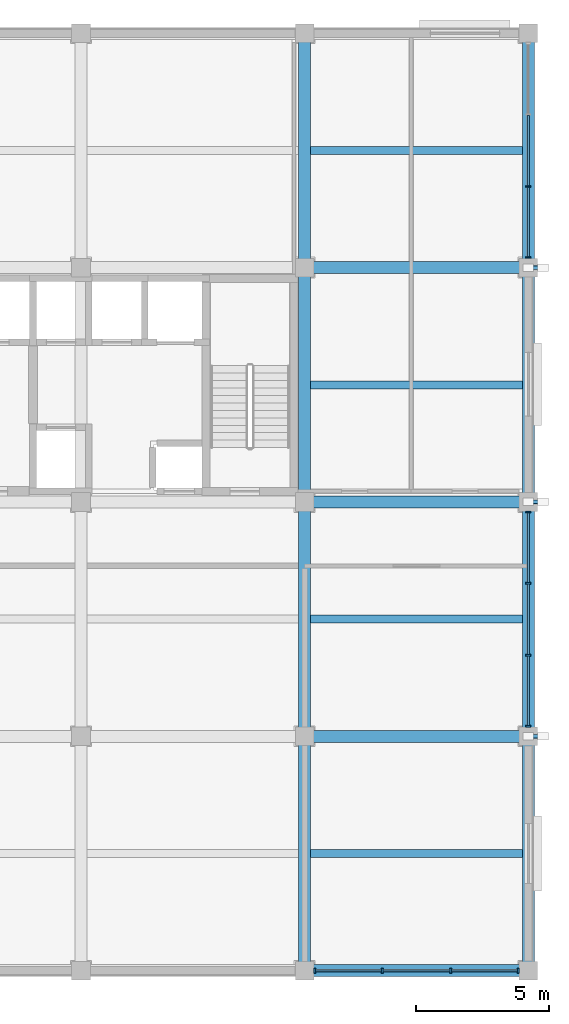
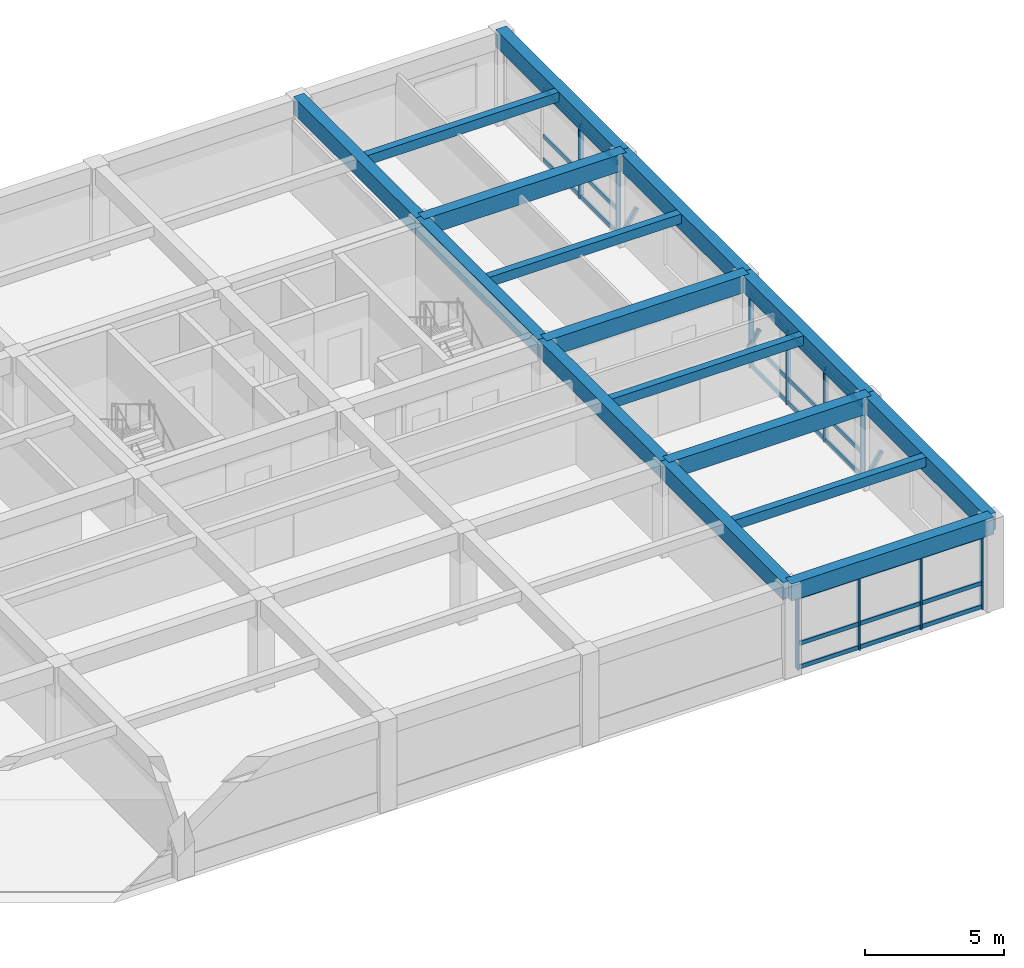
# One storey, part 4 of 14: 37 members, 16 beams, 3 elements without a shape of their own.
"""IFC4 building model written with IfcOpenShell, lengths in metres."""

from ifc_helpers import new_model, si_unit, direction, frame, origin, origin_2d, place, context, subcontext, project, spatial, rectangle, hollow_rectangle, extrude, material, material_profile, profile_set, type_object, element, aggregate, save


model = new_model("IFC4")

# Units and contexts
model_context = context("Model", 3, precision=1e-05, world=origin(), true_north=direction((0.0, 1.0)))
body_context = subcontext(model_context, "Body", "Model", "MODEL_VIEW")
ifc_project = project(units=[si_unit("LENGTHUNIT", "METRE"), si_unit("AREAUNIT", "SQUARE_METRE"), si_unit("VOLUMEUNIT", "CUBIC_METRE"), si_unit("PLANEANGLEUNIT", "RADIAN"), si_unit("MASSUNIT", "GRAM", prefix="KILO")], contexts=[model_context])

# Site, building, storey
site_placement = place(None, origin())
site = spatial("IfcSite", under=ifc_project, at=site_placement, CompositionType="ELEMENT")
building_placement = place(site_placement, origin())
building = spatial("IfcBuilding", under=site, at=building_placement, Name="Kemercrest Conservatory and Botanical Centre", CompositionType="ELEMENT")
storey_placement = place(building_placement, frame((0.0, 0.0, 32.800048828125)))
storey = spatial("IfcBuildingStorey", under=building, at=storey_placement, Name="L08", CompositionType="ELEMENT", Elevation=32.800048828125)

# Beams
ifc_material_1 = material(Name="Concrete C40/50", Category="concrete")
ifc_material_profile_1 = material_profile(ifc_material_1, rectangle(XDim=0.449951171875, YDim=0.75, at=origin_2d()), Name="RC 450x750")
ifc_profile_set_1 = profile_set([ifc_material_profile_1], Name="Concrete C40/50")
beam_type_1 = type_object("IfcBeamType", Name="BM-RC75", PredefinedType="BEAM", material=ifc_profile_set_1)
for number, where, z_axis, x_axis, name in (
    (1, (167.60009765625, 96.0, 3.625), (1.0, 0.0, 0.0), (0.0, 1.0, 0.0), "V4-L09 beam BM-RC75 L/20-21"),
    (2, (167.60009765625, 104.800048828125, 3.625), (1.0, 0.0, 0.0), (0.0, 1.0, 0.0), "V4-L09 beam BM-RC75 M/20-21"),
    (3, (167.60009765625, 113.60009765625, 3.625), (1.0, 0.0, 0.0), (0.0, 1.0, 0.0), "V4-L09 beam BM-RC75 N/20-21"),
):
    element("IfcBeam", number, at=place(storey_placement, frame(where, z_axis=z_axis, x_axis=x_axis)), inside=storey, type_object=beam_type_1, Name=name, PredefinedType="BEAM", context=body_context, shape_type="SweptSolid", body=[
        extrude(rectangle(XDim=0.449951171875, YDim=0.75, at=origin_2d()), origin(), (0.0, 0.0, 1.0), 8.39990234375),
    ])
for number, where, z_axis, x_axis, name in (
    (4, (167.60009765625, 87.199951171875, 3.625), (0.0, 1.0, 0.0), (-1.0, 0.0, 0.0), "V4-L09 beam BM-RC75 20/K-L"),
    (5, (167.60009765625, 96.0, 3.625), (0.0, 1.0, 0.0), (-1.0, 0.0, 0.0), "V4-L09 beam BM-RC75 20/L-M"),
    (6, (167.60009765625, 104.800048828125, 3.625), (0.0, 1.0, 0.0), (-1.0, 0.0, 0.0), "V4-L09 beam BM-RC75 20/M-N"),
):
    element("IfcBeam", number, at=place(storey_placement, frame(where, z_axis=z_axis, x_axis=x_axis)), inside=storey, type_object=beam_type_1, Name=name, PredefinedType="BEAM", context=body_context, shape_type="SweptSolid", body=[
        extrude(rectangle(XDim=0.449951171875, YDim=0.75, at=origin_2d()), origin(), (0.0, 0.0, 1.0), 8.800048828125),
    ])
beam_1_placement = place(storey_placement, frame((167.60009765625, 113.60009765625, 3.625), z_axis=(0.0, 1.0, 0.0), x_axis=(-1.0, 0.0, 0.0)))
element("IfcBeam", 7, at=beam_1_placement, inside=storey, type_object=beam_type_1, Name="V4-L09 beam BM-RC75 20/N-P", PredefinedType="BEAM", context=body_context, shape_type="SweptSolid", body=[
    extrude(rectangle(XDim=0.449951171875, YDim=0.75, at=origin_2d()), origin(), (0.0, 0.0, 1.0), 8.7998046875),
])

# Members
ifc_material_2 = material(Name="Steel CSA G40.21 350W", Category="steel")
ifc_material_profile_2 = material_profile(ifc_material_2, hollow_rectangle(XDim=0.15234375, YDim=0.15234375, WallThickness=0.009521484375, InnerFilletRadius=0.009521484375, OuterFilletRadius=0.01904296875, at=origin_2d()), Name="HSS 152x152x9.5")
ifc_profile_set_2 = profile_set([ifc_material_profile_2], Name="Steel CSA G40.21 350W")
member_type_1 = type_object("IfcMemberType", Name="BR-CUM152", PredefinedType="BRACE", material=ifc_profile_set_2)
for number, where, z_axis, x_axis, name in (
    (8, (176.0, 96.0, 0.39990234375), (0.543241280498, 0.0, 0.839576626141), (0.0, 1.0, 0.0), "Tower cumba projecting bay knee brace strut L08-1"),
    (9, (176.0, 104.800048828125, 0.39990234375), (0.543241280498, 0.0, 0.839576626141), (0.0, 1.0, 0.0), "Tower cumba projecting bay knee brace strut L08-2"),
    (10, (176.0, 113.60009765625, 0.39990234375), (0.543241280498, 0.0, 0.839576626141), (0.0, 1.0, 0.0), "Tower cumba projecting bay knee brace strut L08-3"),
):
    element("IfcMember", number, at=place(storey_placement, frame(where, z_axis=z_axis, x_axis=x_axis)), inside=storey, type_object=member_type_1, Name=name, PredefinedType="BRACE", context=body_context, shape_type="SweptSolid", body=[
        extrude(hollow_rectangle(XDim=0.15234375, YDim=0.15234375, WallThickness=0.009521484375, InnerFilletRadius=0.009521484375, OuterFilletRadius=0.01904296875, at=origin_2d()), origin(), (0.0, 0.0, 1.0), 1.012451171875),
    ])

# Curtain wall, members
ifc_material_3 = material(Name="Thermally broken aluminium and triple low-e glazing", Category="aluminium")
curtain_wall_type_1 = type_object("IfcCurtainWallType", Name="CW-06", PredefinedType="USERDEFINED", material=ifc_material_3)
curtain_wall_1_placement = place(storey_placement, origin())
curtain_wall_1 = element("IfcCurtainWall", 11, at=curtain_wall_1_placement, inside=storey, type_object=curtain_wall_type_1, Name="Unitised curtain wall CW-06 (CW:L08:V4-095)", ObjectType="UNITISED CURTAIN WALL", PredefinedType="USERDEFINED")
ifc_material_4 = material(Name="Thermally broken anodized aluminium 6063-T6", Category="aluminium")
ifc_material_profile_3 = material_profile(ifc_material_4, rectangle(XDim=0.199951171875, YDim=0.06494140625, at=origin_2d()), Name="AL MULLION 65x200")
ifc_profile_set_3 = profile_set([ifc_material_profile_3], Name="Thermally broken anodized aluminium 6063-T6")
member_type_2 = type_object("IfcMemberType", Name="CW-M200", PredefinedType="MULLION", material=ifc_profile_set_3)
member_1_placement = place(storey_placement, frame((167.9775390625, 87.199951171875, 0.0), z_axis=(0.0, 0.0, 1.0), x_axis=(0.0, 1.0, 0.0)))
member_1 = element("IfcMember", 12, at=member_1_placement, type_object=member_type_2, Name="CW-06 mullion 1", PredefinedType="MULLION", context=body_context, shape_type="SweptSolid", body=[
    extrude(rectangle(XDim=0.199951171875, YDim=0.06494140625, at=origin_2d()), origin(), (0.0, 0.0, 1.0), 3.2548828125),
])
member_2_placement = place(storey_placement, frame((170.514892578125, 87.199951171875, 0.0), z_axis=(0.0, 0.0, 1.0), x_axis=(0.0, 1.0, 0.0)))
member_2 = element("IfcMember", 13, at=member_2_placement, type_object=member_type_2, Name="CW-06 mullion 2", PredefinedType="MULLION", context=body_context, shape_type="SweptSolid", body=[
    extrude(rectangle(XDim=0.199951171875, YDim=0.06494140625, at=origin_2d()), origin(), (0.0, 0.0, 1.0), 3.2548828125),
])
member_3_placement = place(storey_placement, frame((173.0849609375, 87.199951171875, 0.0), z_axis=(0.0, 0.0, 1.0), x_axis=(0.0, 1.0, 0.0)))
member_3 = element("IfcMember", 14, at=member_3_placement, type_object=member_type_2, Name="CW-06 mullion 3", PredefinedType="MULLION", context=body_context, shape_type="SweptSolid", body=[
    extrude(rectangle(XDim=0.199951171875, YDim=0.06494140625, at=origin_2d()), origin(), (0.0, 0.0, 1.0), 3.2548828125),
])
member_4_placement = place(storey_placement, frame((175.62255859375, 87.199951171875, 0.0), z_axis=(0.0, 0.0, 1.0), x_axis=(0.0, 1.0, 0.0)))
member_4 = element("IfcMember", 15, at=member_4_placement, type_object=member_type_2, Name="CW-06 mullion 4", PredefinedType="MULLION", context=body_context, shape_type="SweptSolid", body=[
    extrude(rectangle(XDim=0.199951171875, YDim=0.06494140625, at=origin_2d()), origin(), (0.0, 0.0, 1.0), 3.2548828125),
])

curtain_wall_type_2 = type_object("IfcCurtainWallType", Name="CW-07", PredefinedType="USERDEFINED", material=ifc_material_3)
curtain_wall_2_placement = place(storey_placement, origin())
curtain_wall_2 = element("IfcCurtainWall", 16, at=curtain_wall_2_placement, inside=storey, type_object=curtain_wall_type_2, Name="Unitised curtain wall CW-07 (CW:L08:V4-096)", ObjectType="UNITISED CURTAIN WALL", PredefinedType="USERDEFINED")
member_5_placement = place(storey_placement, frame((176.0, 96.37744140625, 0.0), z_axis=(0.0, 0.0, 1.0), x_axis=(-1.0, 0.0, 0.0)))
member_5 = element("IfcMember", 17, at=member_5_placement, type_object=member_type_2, Name="CW-07 mullion 1", PredefinedType="MULLION", context=body_context, shape_type="SweptSolid", body=[
    extrude(rectangle(XDim=0.199951171875, YDim=0.06494140625, at=origin_2d()), origin(), (0.0, 0.0, 1.0), 3.2548828125),
])
member_6_placement = place(storey_placement, frame((176.0, 99.04833984375, 0.0), z_axis=(0.0, 0.0, 1.0), x_axis=(-1.0, 0.0, 0.0)))
member_6 = element("IfcMember", 18, at=member_6_placement, type_object=member_type_2, Name="CW-07 mullion 2", PredefinedType="MULLION", context=body_context, shape_type="SweptSolid", body=[
    extrude(rectangle(XDim=0.199951171875, YDim=0.06494140625, at=origin_2d()), origin(), (0.0, 0.0, 1.0), 3.2548828125),
])
member_7_placement = place(storey_placement, frame((176.0, 101.751708984375, 0.0), z_axis=(0.0, 0.0, 1.0), x_axis=(-1.0, 0.0, 0.0)))
member_7 = element("IfcMember", 19, at=member_7_placement, type_object=member_type_2, Name="CW-07 mullion 3", PredefinedType="MULLION", context=body_context, shape_type="SweptSolid", body=[
    extrude(rectangle(XDim=0.199951171875, YDim=0.06494140625, at=origin_2d()), origin(), (0.0, 0.0, 1.0), 3.2548828125),
])
member_8_placement = place(storey_placement, frame((176.0, 104.422607421875, 0.0), z_axis=(0.0, 0.0, 1.0), x_axis=(-1.0, 0.0, 0.0)))
member_8 = element("IfcMember", 20, at=member_8_placement, type_object=member_type_2, Name="CW-07 mullion 4", PredefinedType="MULLION", context=body_context, shape_type="SweptSolid", body=[
    extrude(rectangle(XDim=0.199951171875, YDim=0.06494140625, at=origin_2d()), origin(), (0.0, 0.0, 1.0), 3.2548828125),
])

curtain_wall_type_3 = type_object("IfcCurtainWallType", Name="CW-08", PredefinedType="USERDEFINED", material=ifc_material_3)
curtain_wall_3_placement = place(storey_placement, origin())
curtain_wall_3 = element("IfcCurtainWall", 21, at=curtain_wall_3_placement, inside=storey, type_object=curtain_wall_type_3, Name="Unitised curtain wall CW-08 (CW:L08:V4-097)", ObjectType="UNITISED CURTAIN WALL", PredefinedType="USERDEFINED")
member_9_placement = place(storey_placement, frame((176.0, 113.9775390625, 0.0), z_axis=(0.0, 0.0, 1.0), x_axis=(-1.0, 0.0, 0.0)))
member_9 = element("IfcMember", 22, at=member_9_placement, type_object=member_type_2, Name="CW-08 mullion 1", PredefinedType="MULLION", context=body_context, shape_type="SweptSolid", body=[
    extrude(rectangle(XDim=0.199951171875, YDim=0.06494140625, at=origin_2d()), origin(), (0.0, 0.0, 1.0), 3.2548828125),
])
member_10_placement = place(storey_placement, frame((176.0, 116.6484375, 0.0), z_axis=(0.0, 0.0, 1.0), x_axis=(-1.0, 0.0, 0.0)))
member_10 = element("IfcMember", 23, at=member_10_placement, type_object=member_type_2, Name="CW-08 mullion 2", PredefinedType="MULLION", context=body_context, shape_type="SweptSolid", body=[
    extrude(rectangle(XDim=0.199951171875, YDim=0.06494140625, at=origin_2d()), origin(), (0.0, 0.0, 1.0), 3.2548828125),
])

# Member
ifc_material_profile_4 = material_profile(ifc_material_4, rectangle(XDim=0.074951171875, YDim=0.179931640625, at=origin_2d()), Name="AL TRANSOM 75x180")
ifc_profile_set_4 = profile_set([ifc_material_profile_4], Name="Thermally broken anodized aluminium 6063-T6")
member_type_3 = type_object("IfcMemberType", Name="CW-T180", PredefinedType="USERDEFINED", material=ifc_profile_set_4)
member_11_placement = place(storey_placement, frame((168.010009765625, 87.199951171875, 0.08984375), z_axis=(1.0, 0.0, 0.0), x_axis=(0.0, 1.0, 0.0)))
member_11 = element("IfcMember", 24, at=member_11_placement, type_object=member_type_3, Name="CW-06 transom 1.1", ObjectType="TRANSOM", PredefinedType="USERDEFINED", context=body_context, shape_type="SweptSolid", body=[
    extrude(rectangle(XDim=0.074951171875, YDim=0.179931640625, at=origin_2d()), origin(), (0.0, 0.0, 1.0), 2.472412109375),
])

member_12_placement = place(storey_placement, frame((168.010009765625, 87.199951171875, 1.119873046875), z_axis=(1.0, 0.0, 0.0), x_axis=(0.0, 1.0, 0.0)))
member_12 = element("IfcMember", 25, at=member_12_placement, type_object=member_type_3, Name="CW-06 transom 1.2", ObjectType="TRANSOM", PredefinedType="USERDEFINED", context=body_context, shape_type="SweptSolid", body=[
    extrude(rectangle(XDim=0.074951171875, YDim=0.179931640625, at=origin_2d()), origin(), (0.0, 0.0, 1.0), 2.472412109375),
])

member_13_placement = place(storey_placement, frame((168.010009765625, 87.199951171875, 3.1650390625), z_axis=(1.0, 0.0, 0.0), x_axis=(0.0, 1.0, 0.0)))
member_13 = element("IfcMember", 26, at=member_13_placement, type_object=member_type_3, Name="CW-06 transom 1.3", ObjectType="TRANSOM", PredefinedType="USERDEFINED", context=body_context, shape_type="SweptSolid", body=[
    extrude(rectangle(XDim=0.074951171875, YDim=0.179931640625, at=origin_2d()), origin(), (0.0, 0.0, 1.0), 2.472412109375),
])

member_14_placement = place(storey_placement, frame((170.547607421875, 87.199951171875, 0.08984375), z_axis=(1.0, 0.0, 0.0), x_axis=(0.0, 1.0, 0.0)))
member_14 = element("IfcMember", 27, at=member_14_placement, type_object=member_type_3, Name="CW-06 transom 2.1", ObjectType="TRANSOM", PredefinedType="USERDEFINED", context=body_context, shape_type="SweptSolid", body=[
    extrude(rectangle(XDim=0.074951171875, YDim=0.179931640625, at=origin_2d()), origin(), (0.0, 0.0, 1.0), 2.5048828125),
])

member_15_placement = place(storey_placement, frame((170.547607421875, 87.199951171875, 1.119873046875), z_axis=(1.0, 0.0, 0.0), x_axis=(0.0, 1.0, 0.0)))
member_15 = element("IfcMember", 28, at=member_15_placement, type_object=member_type_3, Name="CW-06 transom 2.2", ObjectType="TRANSOM", PredefinedType="USERDEFINED", context=body_context, shape_type="SweptSolid", body=[
    extrude(rectangle(XDim=0.074951171875, YDim=0.179931640625, at=origin_2d()), origin(), (0.0, 0.0, 1.0), 2.5048828125),
])

member_16_placement = place(storey_placement, frame((170.547607421875, 87.199951171875, 3.1650390625), z_axis=(1.0, 0.0, 0.0), x_axis=(0.0, 1.0, 0.0)))
member_16 = element("IfcMember", 29, at=member_16_placement, type_object=member_type_3, Name="CW-06 transom 2.3", ObjectType="TRANSOM", PredefinedType="USERDEFINED", context=body_context, shape_type="SweptSolid", body=[
    extrude(rectangle(XDim=0.074951171875, YDim=0.179931640625, at=origin_2d()), origin(), (0.0, 0.0, 1.0), 2.5048828125),
])

member_17_placement = place(storey_placement, frame((173.117431640625, 87.199951171875, 0.08984375), z_axis=(1.0, 0.0, 0.0), x_axis=(0.0, 1.0, 0.0)))
member_17 = element("IfcMember", 30, at=member_17_placement, type_object=member_type_3, Name="CW-06 transom 3.1", ObjectType="TRANSOM", PredefinedType="USERDEFINED", context=body_context, shape_type="SweptSolid", body=[
    extrude(rectangle(XDim=0.074951171875, YDim=0.179931640625, at=origin_2d()), origin(), (0.0, 0.0, 1.0), 2.47265625),
])

member_18_placement = place(storey_placement, frame((173.117431640625, 87.199951171875, 1.119873046875), z_axis=(1.0, 0.0, 0.0), x_axis=(0.0, 1.0, 0.0)))
member_18 = element("IfcMember", 31, at=member_18_placement, type_object=member_type_3, Name="CW-06 transom 3.2", ObjectType="TRANSOM", PredefinedType="USERDEFINED", context=body_context, shape_type="SweptSolid", body=[
    extrude(rectangle(XDim=0.074951171875, YDim=0.179931640625, at=origin_2d()), origin(), (0.0, 0.0, 1.0), 2.47265625),
])

member_19_placement = place(storey_placement, frame((173.117431640625, 87.199951171875, 3.1650390625), z_axis=(1.0, 0.0, 0.0), x_axis=(0.0, 1.0, 0.0)))
member_19 = element("IfcMember", 32, at=member_19_placement, type_object=member_type_3, Name="CW-06 transom 3.3", ObjectType="TRANSOM", PredefinedType="USERDEFINED", context=body_context, shape_type="SweptSolid", body=[
    extrude(rectangle(XDim=0.074951171875, YDim=0.179931640625, at=origin_2d()), origin(), (0.0, 0.0, 1.0), 2.47265625),
])

aggregate(curtain_wall_1, [member_1, member_2, member_3, member_4, member_11, member_12, member_13, member_14, member_15, member_16, member_17, member_18, member_19])

member_20_placement = place(storey_placement, frame((176.0, 96.409912109375, 0.08984375), z_axis=(0.0, 1.0, 0.0), x_axis=(-1.0, 0.0, 0.0)))
member_20 = element("IfcMember", 33, at=member_20_placement, type_object=member_type_3, Name="CW-07 transom 1.1", ObjectType="TRANSOM", PredefinedType="USERDEFINED", context=body_context, shape_type="SweptSolid", body=[
    extrude(rectangle(XDim=0.074951171875, YDim=0.179931640625, at=origin_2d()), origin(), (0.0, 0.0, 1.0), 2.60595703125),
])

member_21_placement = place(storey_placement, frame((176.0, 96.409912109375, 1.119873046875), z_axis=(0.0, 1.0, 0.0), x_axis=(-1.0, 0.0, 0.0)))
member_21 = element("IfcMember", 34, at=member_21_placement, type_object=member_type_3, Name="CW-07 transom 1.2", ObjectType="TRANSOM", PredefinedType="USERDEFINED", context=body_context, shape_type="SweptSolid", body=[
    extrude(rectangle(XDim=0.074951171875, YDim=0.179931640625, at=origin_2d()), origin(), (0.0, 0.0, 1.0), 2.60595703125),
])

member_22_placement = place(storey_placement, frame((176.0, 96.409912109375, 3.1650390625), z_axis=(0.0, 1.0, 0.0), x_axis=(-1.0, 0.0, 0.0)))
member_22 = element("IfcMember", 35, at=member_22_placement, type_object=member_type_3, Name="CW-07 transom 1.3", ObjectType="TRANSOM", PredefinedType="USERDEFINED", context=body_context, shape_type="SweptSolid", body=[
    extrude(rectangle(XDim=0.074951171875, YDim=0.179931640625, at=origin_2d()), origin(), (0.0, 0.0, 1.0), 2.60595703125),
])

member_23_placement = place(storey_placement, frame((176.0, 99.080810546875, 0.08984375), z_axis=(0.0, 1.0, 0.0), x_axis=(-1.0, 0.0, 0.0)))
member_23 = element("IfcMember", 36, at=member_23_placement, type_object=member_type_3, Name="CW-07 transom 2.1", ObjectType="TRANSOM", PredefinedType="USERDEFINED", context=body_context, shape_type="SweptSolid", body=[
    extrude(rectangle(XDim=0.074951171875, YDim=0.179931640625, at=origin_2d()), origin(), (0.0, 0.0, 1.0), 2.638427734375),
])

member_24_placement = place(storey_placement, frame((176.0, 99.080810546875, 1.119873046875), z_axis=(0.0, 1.0, 0.0), x_axis=(-1.0, 0.0, 0.0)))
member_24 = element("IfcMember", 37, at=member_24_placement, type_object=member_type_3, Name="CW-07 transom 2.2", ObjectType="TRANSOM", PredefinedType="USERDEFINED", context=body_context, shape_type="SweptSolid", body=[
    extrude(rectangle(XDim=0.074951171875, YDim=0.179931640625, at=origin_2d()), origin(), (0.0, 0.0, 1.0), 2.638427734375),
])

member_25_placement = place(storey_placement, frame((176.0, 99.080810546875, 3.1650390625), z_axis=(0.0, 1.0, 0.0), x_axis=(-1.0, 0.0, 0.0)))
member_25 = element("IfcMember", 38, at=member_25_placement, type_object=member_type_3, Name="CW-07 transom 2.3", ObjectType="TRANSOM", PredefinedType="USERDEFINED", context=body_context, shape_type="SweptSolid", body=[
    extrude(rectangle(XDim=0.074951171875, YDim=0.179931640625, at=origin_2d()), origin(), (0.0, 0.0, 1.0), 2.638427734375),
])

member_26_placement = place(storey_placement, frame((176.0, 101.7841796875, 0.08984375), z_axis=(0.0, 1.0, 0.0), x_axis=(-1.0, 0.0, 0.0)))
member_26 = element("IfcMember", 39, at=member_26_placement, type_object=member_type_3, Name="CW-07 transom 3.1", ObjectType="TRANSOM", PredefinedType="USERDEFINED", context=body_context, shape_type="SweptSolid", body=[
    extrude(rectangle(XDim=0.074951171875, YDim=0.179931640625, at=origin_2d()), origin(), (0.0, 0.0, 1.0), 2.605712890625),
])

member_27_placement = place(storey_placement, frame((176.0, 101.7841796875, 1.119873046875), z_axis=(0.0, 1.0, 0.0), x_axis=(-1.0, 0.0, 0.0)))
member_27 = element("IfcMember", 40, at=member_27_placement, type_object=member_type_3, Name="CW-07 transom 3.2", ObjectType="TRANSOM", PredefinedType="USERDEFINED", context=body_context, shape_type="SweptSolid", body=[
    extrude(rectangle(XDim=0.074951171875, YDim=0.179931640625, at=origin_2d()), origin(), (0.0, 0.0, 1.0), 2.605712890625),
])

member_28_placement = place(storey_placement, frame((176.0, 101.7841796875, 3.1650390625), z_axis=(0.0, 1.0, 0.0), x_axis=(-1.0, 0.0, 0.0)))
member_28 = element("IfcMember", 41, at=member_28_placement, type_object=member_type_3, Name="CW-07 transom 3.3", ObjectType="TRANSOM", PredefinedType="USERDEFINED", context=body_context, shape_type="SweptSolid", body=[
    extrude(rectangle(XDim=0.074951171875, YDim=0.179931640625, at=origin_2d()), origin(), (0.0, 0.0, 1.0), 2.605712890625),
])

aggregate(curtain_wall_2, [member_5, member_6, member_7, member_8, member_20, member_21, member_22, member_23, member_24, member_25, member_26, member_27, member_28])

member_29_placement = place(storey_placement, frame((176.0, 114.010009765625, 0.08984375), z_axis=(0.0, 1.0, 0.0), x_axis=(-1.0, 0.0, 0.0)))
member_29 = element("IfcMember", 42, at=member_29_placement, type_object=member_type_3, Name="CW-08 transom 1.1", ObjectType="TRANSOM", PredefinedType="USERDEFINED", context=body_context, shape_type="SweptSolid", body=[
    extrude(rectangle(XDim=0.074951171875, YDim=0.179931640625, at=origin_2d()), origin(), (0.0, 0.0, 1.0), 2.605712890625),
])

member_30_placement = place(storey_placement, frame((176.0, 114.010009765625, 1.119873046875), z_axis=(0.0, 1.0, 0.0), x_axis=(-1.0, 0.0, 0.0)))
member_30 = element("IfcMember", 43, at=member_30_placement, type_object=member_type_3, Name="CW-08 transom 1.2", ObjectType="TRANSOM", PredefinedType="USERDEFINED", context=body_context, shape_type="SweptSolid", body=[
    extrude(rectangle(XDim=0.074951171875, YDim=0.179931640625, at=origin_2d()), origin(), (0.0, 0.0, 1.0), 2.605712890625),
])

member_31_placement = place(storey_placement, frame((176.0, 114.010009765625, 3.1650390625), z_axis=(0.0, 1.0, 0.0), x_axis=(-1.0, 0.0, 0.0)))
member_31 = element("IfcMember", 44, at=member_31_placement, type_object=member_type_3, Name="CW-08 transom 1.3", ObjectType="TRANSOM", PredefinedType="USERDEFINED", context=body_context, shape_type="SweptSolid", body=[
    extrude(rectangle(XDim=0.074951171875, YDim=0.179931640625, at=origin_2d()), origin(), (0.0, 0.0, 1.0), 2.605712890625),
])

member_32_placement = place(storey_placement, frame((176.0, 116.680908203125, 0.08984375), z_axis=(0.0, 1.0, 0.0), x_axis=(-1.0, 0.0, 0.0)))
member_32 = element("IfcMember", 45, at=member_32_placement, type_object=member_type_3, Name="CW-08 transom 2.1", ObjectType="TRANSOM", PredefinedType="USERDEFINED", context=body_context, shape_type="SweptSolid", body=[
    extrude(rectangle(XDim=0.074951171875, YDim=0.179931640625, at=origin_2d()), origin(), (0.0, 0.0, 1.0), 2.63818359375),
])

member_33_placement = place(storey_placement, frame((176.0, 116.680908203125, 1.119873046875), z_axis=(0.0, 1.0, 0.0), x_axis=(-1.0, 0.0, 0.0)))
member_33 = element("IfcMember", 46, at=member_33_placement, type_object=member_type_3, Name="CW-08 transom 2.2", ObjectType="TRANSOM", PredefinedType="USERDEFINED", context=body_context, shape_type="SweptSolid", body=[
    extrude(rectangle(XDim=0.074951171875, YDim=0.179931640625, at=origin_2d()), origin(), (0.0, 0.0, 1.0), 2.63818359375),
])

member_34_placement = place(storey_placement, frame((176.0, 116.680908203125, 3.1650390625), z_axis=(0.0, 1.0, 0.0), x_axis=(-1.0, 0.0, 0.0)))
member_34 = element("IfcMember", 47, at=member_34_placement, type_object=member_type_3, Name="CW-08 transom 2.3", ObjectType="TRANSOM", PredefinedType="USERDEFINED", context=body_context, shape_type="SweptSolid", body=[
    extrude(rectangle(XDim=0.074951171875, YDim=0.179931640625, at=origin_2d()), origin(), (0.0, 0.0, 1.0), 2.63818359375),
])

aggregate(curtain_wall_3, [member_9, member_10, member_29, member_30, member_31, member_32, member_33, member_34])

# Beams
ifc_material_profile_5 = material_profile(ifc_material_1, rectangle(XDim=0.300048828125, YDim=0.419921875, at=origin_2d()), Name="RC 300x420")
ifc_profile_set_5 = profile_set([ifc_material_profile_5], Name="Concrete C40/50")
beam_type_2 = type_object("IfcBeamType", Name="JS-RC42", PredefinedType="JOIST", material=ifc_profile_set_5)
for number, where, z_axis, x_axis, name in (
    (48, (167.824951171875, 91.60009765625, 3.7900390625), (1.0, 0.0, 0.0), (0.0, 1.0, 0.0), "V4-L09 secondary joist JS-RC42"),
    (49, (167.824951171875, 100.39990234375, 3.7900390625), (1.0, 0.0, 0.0), (0.0, 1.0, 0.0), "V4-L09 secondary joist JS-RC42"),
    (50, (167.824951171875, 109.199951171875, 3.7900390625), (1.0, 0.0, 0.0), (0.0, 1.0, 0.0), "V4-L09 secondary joist JS-RC42"),
    (51, (167.824951171875, 118.0, 3.7900390625), (1.0, 0.0, 0.0), (0.0, 1.0, 0.0), "V4-L09 secondary joist JS-RC42"),
):
    element("IfcBeam", number, at=place(storey_placement, frame(where, z_axis=z_axis, x_axis=x_axis)), inside=storey, type_object=beam_type_2, Name=name, PredefinedType="JOIST", context=body_context, shape_type="SweptSolid", body=[
        extrude(rectangle(XDim=0.300048828125, YDim=0.419921875, at=origin_2d()), origin(), (0.0, 0.0, 1.0), 7.949951171875),
    ])
ifc_material_profile_6 = material_profile(ifc_material_1, rectangle(XDim=0.449951171875, YDim=0.75, at=origin_2d()), Name="RC 450x750")
ifc_profile_set_6 = profile_set([ifc_material_profile_6], Name="Concrete C40/50")
beam_type_3 = type_object("IfcBeamType", Name="SP-RC75", PredefinedType="SPANDREL", material=ifc_profile_set_6)
beam_2_placement = place(storey_placement, frame((167.60009765625, 87.199951171875, 3.625), z_axis=(1.0, 0.0, 0.0), x_axis=(0.0, 1.0, 0.0)))
element("IfcBeam", 52, at=beam_2_placement, inside=storey, type_object=beam_type_3, Name="V4-L09 beam SP-RC75 K/20-21", PredefinedType="SPANDREL", context=body_context, shape_type="SweptSolid", body=[
    extrude(rectangle(XDim=0.449951171875, YDim=0.75, at=origin_2d()), origin(), (0.0, 0.0, 1.0), 8.39990234375),
])
for number, where, z_axis, x_axis, name in (
    (53, (176.0, 87.199951171875, 3.625), (0.0, 1.0, 0.0), (-1.0, 0.0, 0.0), "V4-L09 beam SP-RC75 21/K-L"),
    (54, (176.0, 96.0, 3.625), (0.0, 1.0, 0.0), (-1.0, 0.0, 0.0), "V4-L09 beam SP-RC75 21/L-M"),
    (55, (176.0, 104.800048828125, 3.625), (0.0, 1.0, 0.0), (-1.0, 0.0, 0.0), "V4-L09 beam SP-RC75 21/M-N"),
):
    element("IfcBeam", number, at=place(storey_placement, frame(where, z_axis=z_axis, x_axis=x_axis)), inside=storey, type_object=beam_type_3, Name=name, PredefinedType="SPANDREL", context=body_context, shape_type="SweptSolid", body=[
        extrude(rectangle(XDim=0.449951171875, YDim=0.75, at=origin_2d()), origin(), (0.0, 0.0, 1.0), 8.800048828125),
    ])
beam_3_placement = place(storey_placement, frame((176.0, 113.60009765625, 3.625), z_axis=(0.0, 1.0, 0.0), x_axis=(-1.0, 0.0, 0.0)))
element("IfcBeam", 56, at=beam_3_placement, inside=storey, type_object=beam_type_3, Name="V4-L09 beam SP-RC75 21/N-P", PredefinedType="SPANDREL", context=body_context, shape_type="SweptSolid", body=[
    extrude(rectangle(XDim=0.449951171875, YDim=0.75, at=origin_2d()), origin(), (0.0, 0.0, 1.0), 8.7998046875),
])

save(model, "model.ifc")
